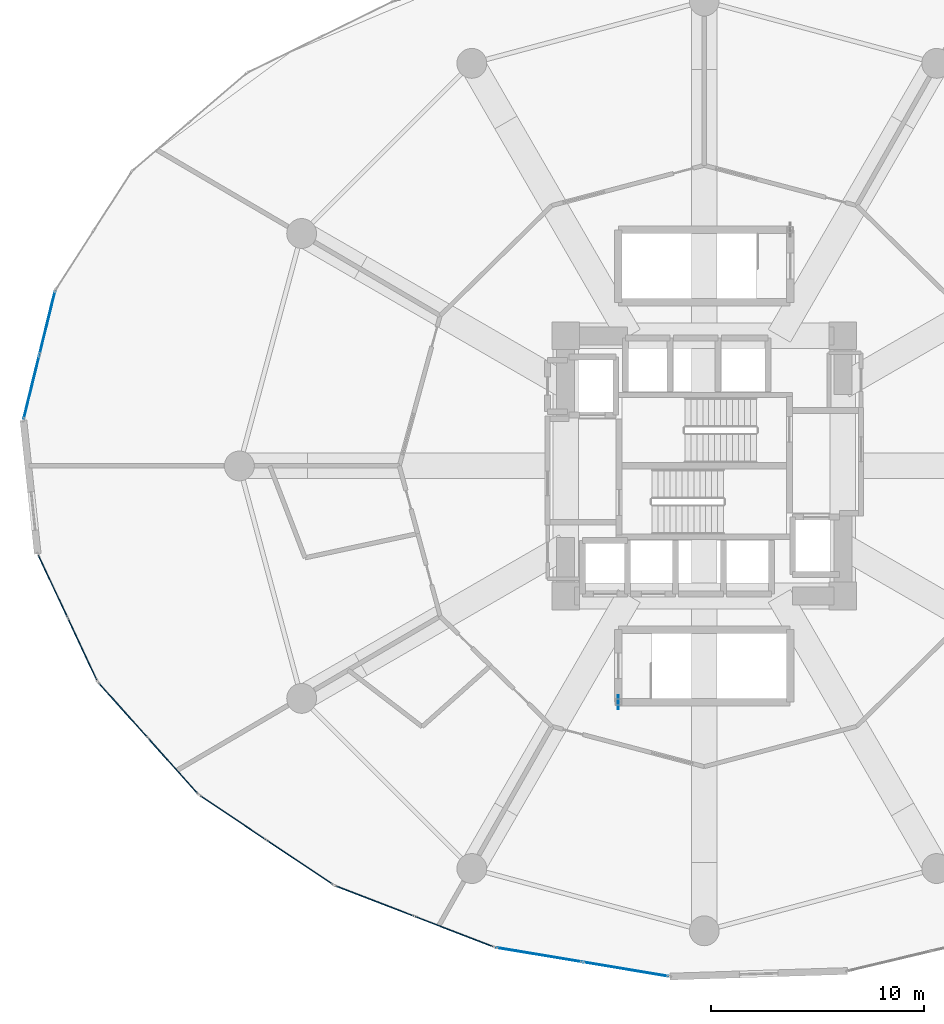
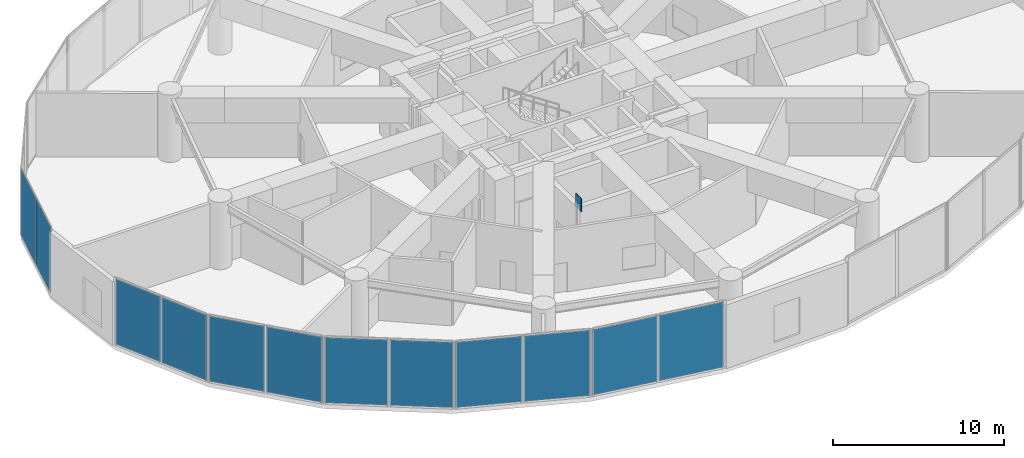
# One storey, part 20 of 27: 13 plates, 6 elements without a shape of their own.
"""IFC4 building model written with IfcOpenShell, lengths in metres."""

from ifc_helpers import new_model, si_unit, direction, frame, origin, origin_2d, place, context, subcontext, project, spatial, rectangle, extrude, source, transform, mapped, material, layer, layer_set, type_object, element, aggregate, save


model = new_model("IFC4")

# Units and contexts
model_context = context("Model", 3, precision=1e-05, world=origin(), true_north=direction((0.0, 1.0)))
body_context = subcontext(model_context, "Body", "Model", "MODEL_VIEW")
ifc_project = project(units=[si_unit("LENGTHUNIT", "METRE"), si_unit("AREAUNIT", "SQUARE_METRE"), si_unit("VOLUMEUNIT", "CUBIC_METRE"), si_unit("PLANEANGLEUNIT", "RADIAN"), si_unit("MASSUNIT", "GRAM", prefix="KILO")], contexts=[model_context])

# Site, building, storey
site_placement = place(None, origin())
site = spatial("IfcSite", under=ifc_project, at=site_placement, CompositionType="ELEMENT")
building_placement = place(site_placement, origin())
building = spatial("IfcBuilding", under=site, at=building_placement, Name="Solvirekh Grand Hotel", CompositionType="ELEMENT")
storey_placement = place(building_placement, frame((0.0, 0.0, 23.60009765625)))
storey = spatial("IfcBuildingStorey", under=building, at=storey_placement, Name="L04", CompositionType="ELEMENT", Elevation=23.60009765625)

# Plate
ifc_material_1 = material(Name="Steel S355", Category="steel")
ifc_layer_1 = layer(ifc_material_1, 0.0400390625)
ifc_layer_set_1 = layer_set([ifc_layer_1], Name="Steel S355")
plate_type_1 = type_object("IfcPlateType", Name="NodeCapPlate_40", PredefinedType="SHEET", material=ifc_layer_set_1)
plate_1_placement = place(storey_placement, frame((-4.02490234375, -11.074951171875, 4.32470703125), z_axis=(0.0, 0.0, 1.0), x_axis=(1.0, 0.0, 0.0)))
element("IfcPlate", 1, at=plate_1_placement, inside=storey, type_object=plate_type_1, Name="L04 hollow-section node plate PL-L04-STPOST-CAP-1", PredefinedType="SHEET", context=body_context, shape_type="SweptSolid", body=[
    extrude(rectangle(XDim=0.0400390625, YDim=0.64990234375, at=origin_2d()), origin(), (0.0, 0.0, 1.0), 0.949951171875),
])

# Curtain wall, plates
ifc_material_2 = material(Name="Anodized Bronze Aluminium 6063-T6", Category="aluminium")
ifc_layer_2 = layer(ifc_material_2, 0.219970703125)
ifc_layer_set_2 = layer_set([ifc_layer_2], Name="Anodized Bronze Aluminium 6063-T6")
curtain_wall_type = type_object("IfcCurtainWallType", Name="CW_Sys1_PodiumBronzeUnitised", PredefinedType="NOTDEFINED", material=ifc_layer_set_2)
curtain_wall_1_placement = place(storey_placement, origin())
curtain_wall_1 = element("IfcCurtainWall", 2, at=curtain_wall_1_placement, inside=storey, type_object=curtain_wall_type, Name="L04 unitised bronze-glass curtain wall CW-L04-C14", PredefinedType="NOTDEFINED")
ifc_material_3 = material(Name="Low-E Tinted Bronze Laminated Glass", Category="aluminium")
ifc_layer_3 = layer(ifc_material_3, 0.0439453125)
ifc_layer_set_3 = layer_set([ifc_layer_3], Name="Low-E Tinted Bronze Laminated Glass")
plate_type_2 = type_object("IfcPlateType", Name="CWPanel_Podium_44", PredefinedType="CURTAIN_PANEL", material=ifc_layer_set_3)
shared_shape_1 = source(origin(), body_context, "Body", "SweptSolid", [
    extrude(rectangle(XDim=3.193603515625, YDim=0.0439453125, at=origin_2d()), origin(), (0.0, 0.0, 1.0), 4.669921875),
])
plate_2_placement = place(storey_placement, frame((-30.547607421875, -5.642333984375, 0.06494140625), z_axis=(0.0, 0.0, 1.0), x_axis=(0.42377116947, -0.905769284049, 0.0)))
plate_2 = element("IfcPlate", 3, at=plate_2_placement, type_object=plate_type_2, Name="U01 panel 1.1", PredefinedType="CURTAIN_PANEL", context=body_context, shape_type="MappedRepresentation", body=[
    mapped(shared_shape_1, transform((0.0, 0.0, 0.0), x_axis=(1.0, 0.0, 0.0), y_axis=(0.0, 1.0, 0.0), z_axis=(0.0, 0.0, 1.0), scale=1.0)),
])
plate_3_placement = place(storey_placement, frame((-29.162353515625, -8.602783203125, 0.06494140625), z_axis=(0.0, 0.0, 1.0), x_axis=(0.42377116947, -0.905769284049, 0.0)))
plate_3 = element("IfcPlate", 4, at=plate_3_placement, type_object=plate_type_2, Name="U01 panel 2.1", PredefinedType="CURTAIN_PANEL", context=body_context, shape_type="MappedRepresentation", body=[
    mapped(shared_shape_1, transform((0.0, 0.0, 0.0), x_axis=(1.0, 0.0, 0.0), y_axis=(0.0, 1.0, 0.0), z_axis=(0.0, 0.0, 1.0), scale=1.0)),
])
aggregate(curtain_wall_1, [plate_2, plate_3])

curtain_wall_2_placement = place(storey_placement, origin())
curtain_wall_2 = element("IfcCurtainWall", 5, at=curtain_wall_2_placement, inside=storey, type_object=curtain_wall_type, Name="L04 unitised bronze-glass curtain wall CW-L04-C15", PredefinedType="NOTDEFINED")
shared_shape_2 = source(origin(), body_context, "Body", "SweptSolid", [
    extrude(rectangle(XDim=3.443115234375, YDim=0.0439453125, at=origin_2d()), origin(), (0.0, 0.0, 1.0), 4.669921875),
])
plate_4_placement = place(storey_placement, frame((-27.25634765625, -11.4560546875, 0.06494140625), z_axis=(0.0, 0.0, 1.0), x_axis=(0.666708532187, -0.745318544724, 0.0)))
plate_4 = element("IfcPlate", 6, at=plate_4_placement, type_object=plate_type_2, Name="U01 panel 1.1", PredefinedType="CURTAIN_PANEL", context=body_context, shape_type="MappedRepresentation", body=[
    mapped(shared_shape_2, transform((0.0, 0.0, 0.0), x_axis=(1.0, 0.0, 0.0), y_axis=(0.0, 1.0, 0.0), z_axis=(0.0, 0.0, 1.0), scale=1.0)),
])
plate_5_placement = place(storey_placement, frame((-24.91064453125, -14.078125, 0.06494140625), z_axis=(0.0, 0.0, 1.0), x_axis=(0.666708532187, -0.745318544724, 0.0)))
plate_5 = element("IfcPlate", 7, at=plate_5_placement, type_object=plate_type_2, Name="U01 panel 2.1", PredefinedType="CURTAIN_PANEL", context=body_context, shape_type="MappedRepresentation", body=[
    mapped(shared_shape_2, transform((0.0, 0.0, 0.0), x_axis=(1.0, 0.0, 0.0), y_axis=(0.0, 1.0, 0.0), z_axis=(0.0, 0.0, 1.0), scale=1.0)),
])
aggregate(curtain_wall_2, [plate_4, plate_5])

curtain_wall_3_placement = place(storey_placement, origin())
curtain_wall_3 = element("IfcCurtainWall", 8, at=curtain_wall_3_placement, inside=storey, type_object=curtain_wall_type, Name="L04 unitised bronze-glass curtain wall CW-L04-C17", PredefinedType="NOTDEFINED")
shared_shape_3 = source(origin(), body_context, "Body", "SweptSolid", [
    extrude(rectangle(XDim=3.928466796875, YDim=0.0439453125, at=origin_2d()), origin(), (0.0, 0.0, 1.0), 4.669921875),
])
plate_6_placement = place(storey_placement, frame((-15.45361328125, -20.400146484375, 0.06494140625), z_axis=(0.0, 0.0, 1.0), x_axis=(0.93293042178, -0.360056701252, 0.0)))
plate_6 = element("IfcPlate", 9, at=plate_6_placement, type_object=plate_type_2, Name="U01 panel 1.1", PredefinedType="CURTAIN_PANEL", context=body_context, shape_type="MappedRepresentation", body=[
    mapped(shared_shape_3, transform((0.0, 0.0, 0.0), x_axis=(1.0, 0.0, 0.0), y_axis=(0.0, 1.0, 0.0), z_axis=(0.0, 0.0, 1.0), scale=1.0)),
])
plate_7_placement = place(storey_placement, frame((-11.718505859375, -21.841796875, 0.06494140625), z_axis=(0.0, 0.0, 1.0), x_axis=(0.93293042178, -0.360056701252, 0.0)))
plate_7 = element("IfcPlate", 10, at=plate_7_placement, type_object=plate_type_2, Name="U01 panel 2.1", PredefinedType="CURTAIN_PANEL", context=body_context, shape_type="MappedRepresentation", body=[
    mapped(shared_shape_3, transform((0.0, 0.0, 0.0), x_axis=(1.0, 0.0, 0.0), y_axis=(0.0, 1.0, 0.0), z_axis=(0.0, 0.0, 1.0), scale=1.0)),
])
aggregate(curtain_wall_3, [plate_6, plate_7])

curtain_wall_4_placement = place(storey_placement, origin())
curtain_wall_4 = element("IfcCurtainWall", 11, at=curtain_wall_4_placement, inside=storey, type_object=curtain_wall_type, Name="L04 unitised bronze-glass curtain wall CW-L04-C18", PredefinedType="NOTDEFINED")
shared_shape_4 = source(origin(), body_context, "Body", "SweptSolid", [
    extrude(rectangle(XDim=4.048828125, YDim=0.0439453125, at=origin_2d()), origin(), (0.0, 0.0, 1.0), 4.669921875),
])
plate_8_placement = place(storey_placement, frame((-7.745361328125, -22.921630859375, 0.06494140625), z_axis=(0.0, 0.0, 1.0), x_axis=(0.98635817858, -0.16461331522, 0.0)))
plate_8 = element("IfcPlate", 12, at=plate_8_placement, type_object=plate_type_2, Name="U01 panel 1.1", PredefinedType="CURTAIN_PANEL", context=body_context, shape_type="MappedRepresentation", body=[
    mapped(shared_shape_4, transform((0.0, 0.0, 0.0), x_axis=(1.0, 0.0, 0.0), y_axis=(0.0, 1.0, 0.0), z_axis=(0.0, 0.0, 1.0), scale=1.0)),
])
plate_9_placement = place(storey_placement, frame((-3.677734375, -23.600341796875, 0.06494140625), z_axis=(0.0, 0.0, 1.0), x_axis=(0.98635817858, -0.16461331522, 0.0)))
plate_9 = element("IfcPlate", 13, at=plate_9_placement, type_object=plate_type_2, Name="U01 panel 2.1", PredefinedType="CURTAIN_PANEL", context=body_context, shape_type="MappedRepresentation", body=[
    mapped(shared_shape_4, transform((0.0, 0.0, 0.0), x_axis=(1.0, 0.0, 0.0), y_axis=(0.0, 1.0, 0.0), z_axis=(0.0, 0.0, 1.0), scale=1.0)),
])
aggregate(curtain_wall_4, [plate_8, plate_9])

curtain_wall_5_placement = place(storey_placement, origin())
curtain_wall_5 = element("IfcCurtainWall", 14, at=curtain_wall_5_placement, inside=storey, type_object=curtain_wall_type, Name="L04 unitised bronze-glass curtain wall CW-L04-C16", PredefinedType="NOTDEFINED")
shared_shape_5 = source(origin(), body_context, "Body", "SweptSolid", [
    extrude(rectangle(XDim=3.710693359375, YDim=0.0439453125, at=origin_2d()), origin(), (0.0, 0.0, 1.0), 4.669921875),
])
plate_10_placement = place(storey_placement, frame((-22.108154296875, -16.48974609375, 0.06494140625), z_axis=(0.0, 0.0, 1.0), x_axis=(0.831385724469, -0.55569575952, 0.0)))
plate_10 = element("IfcPlate", 15, at=plate_10_placement, type_object=plate_type_2, Name="U01 panel 1.1", PredefinedType="CURTAIN_PANEL", context=body_context, shape_type="MappedRepresentation", body=[
    mapped(shared_shape_5, transform((0.0, 0.0, 0.0), x_axis=(1.0, 0.0, 0.0), y_axis=(0.0, 1.0, 0.0), z_axis=(0.0, 0.0, 1.0), scale=1.0)),
])
plate_11_placement = place(storey_placement, frame((-18.9609375, -18.59326171875, 0.06494140625), z_axis=(0.0, 0.0, 1.0), x_axis=(0.831385724469, -0.55569575952, 0.0)))
plate_11 = element("IfcPlate", 16, at=plate_11_placement, type_object=plate_type_2, Name="U01 panel 2.1", PredefinedType="CURTAIN_PANEL", context=body_context, shape_type="MappedRepresentation", body=[
    mapped(shared_shape_5, transform((0.0, 0.0, 0.0), x_axis=(1.0, 0.0, 0.0), y_axis=(0.0, 1.0, 0.0), z_axis=(0.0, 0.0, 1.0), scale=1.0)),
])
aggregate(curtain_wall_5, [plate_10, plate_11])

curtain_wall_6_placement = place(storey_placement, origin())
curtain_wall_6 = element("IfcCurtainWall", 17, at=curtain_wall_6_placement, inside=storey, type_object=curtain_wall_type, Name="L04 unitised bronze-glass curtain wall CW-L04-C12", PredefinedType="NOTDEFINED")
shared_shape_6 = source(origin(), body_context, "Body", "SweptSolid", [
    extrude(rectangle(XDim=3.041015625, YDim=0.0439453125, at=origin_2d()), origin(), (0.0, 0.0, 1.0), 4.669921875),
])
plate_12_placement = place(storey_placement, frame((-30.804443359375, 6.718505859375, 0.06494140625), z_axis=(0.0, 0.0, 1.0), x_axis=(-0.238467019865, -0.971150596168, 0.0)))
plate_12 = element("IfcPlate", 18, at=plate_12_placement, type_object=plate_type_2, Name="U01 panel 1.1", PredefinedType="CURTAIN_PANEL", context=body_context, shape_type="MappedRepresentation", body=[
    mapped(shared_shape_6, transform((0.0, 0.0, 0.0), x_axis=(1.0, 0.0, 0.0), y_axis=(0.0, 1.0, 0.0), z_axis=(0.0, 0.0, 1.0), scale=1.0)),
])
plate_13_placement = place(storey_placement, frame((-31.547607421875, 3.6923828125, 0.06494140625), z_axis=(0.0, 0.0, 1.0), x_axis=(-0.238467019865, -0.971150596168, 0.0)))
plate_13 = element("IfcPlate", 19, at=plate_13_placement, type_object=plate_type_2, Name="U01 panel 2.1", PredefinedType="CURTAIN_PANEL", context=body_context, shape_type="MappedRepresentation", body=[
    mapped(shared_shape_6, transform((0.0, 0.0, 0.0), x_axis=(1.0, 0.0, 0.0), y_axis=(0.0, 1.0, 0.0), z_axis=(0.0, 0.0, 1.0), scale=1.0)),
])
aggregate(curtain_wall_6, [plate_12, plate_13])

save(model, "model.ifc")
